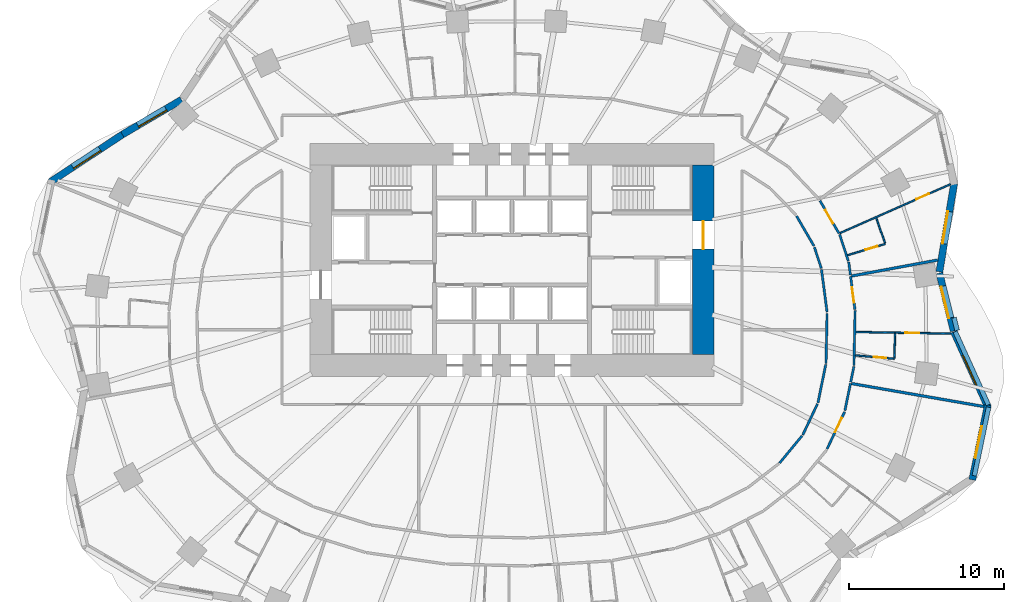
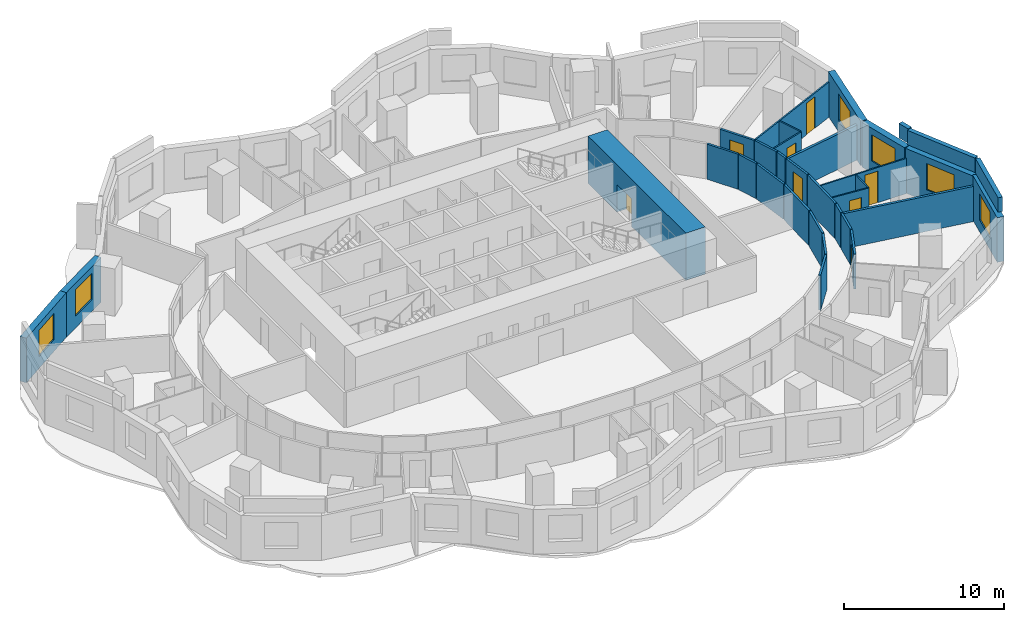
# One storey, part 7 of 11: 33 walls, 8 doors, 6 windows, 14 openings.
"""IFC4 building model written with IfcOpenShell, lengths in metres."""

from ifc_helpers import new_model, si_unit, direction, frame, frame_2d, origin, place, context, subcontext, project, spatial, rectangle, extrude, material, layer, layer_set, type_object, element, fill, save


model = new_model("IFC4")

# Units and contexts
model_context = context("Model", 3, precision=1e-05, world=origin(), true_north=direction((0.0, 1.0)))
body_context = subcontext(model_context, "Body", "Model", "MODEL_VIEW")
ifc_project = project(units=[si_unit("LENGTHUNIT", "METRE"), si_unit("AREAUNIT", "SQUARE_METRE"), si_unit("VOLUMEUNIT", "CUBIC_METRE"), si_unit("PLANEANGLEUNIT", "RADIAN"), si_unit("MASSUNIT", "GRAM", prefix="KILO")], contexts=[model_context])

# Site, building, storey
site_placement = place(None, origin())
site = spatial("IfcSite", under=ifc_project, at=site_placement, CompositionType="ELEMENT")
building_placement = place(site_placement, origin())
building = spatial("IfcBuilding", under=site, at=building_placement, Name="Rubra Terraces Tower", CompositionType="ELEMENT")
storey_placement = place(building_placement, frame((0.0, 0.0, 66.300048828125)))
storey = spatial("IfcBuildingStorey", under=building, at=storey_placement, Name="L14", CompositionType="ELEMENT", Elevation=66.300048828125)

# Walls
ifc_material_1 = material(Name="Twin plasterboard on staggered steel stud, acoustic mineral wool", Category="steel")
ifc_layer_1 = layer(ifc_material_1, 0.175048828125)
ifc_layer_set_1 = layer_set([ifc_layer_1], Name="Twin plasterboard on staggered steel stud, acoustic mineral wool")
wall_type_1 = type_object("IfcWallType", Name="ACOUSTIC PARTY WALL 175", PredefinedType="PARTITIONING", material=ifc_layer_set_1)
wall_1_placement = place(storey_placement, frame((30.36572265625, -4.93603515625, 0.0), z_axis=(0.0, 0.0, 1.0), x_axis=(-0.98521403611, 0.171328056817, 0.0)))
element("IfcWall", 1, at=wall_1_placement, inside=storey, type_object=wall_type_1, Name="PARTITION", PredefinedType="PARTITIONING", context=body_context, shape_type="SweptSolid", body=[
    extrude(rectangle(XDim=8.6396484375, YDim=0.175048828125, at=frame_2d((4.31982421875, 0.0))), origin(), (0.0, 0.0, 1.0), 2.679931640625),
])
wall_2_placement = place(storey_placement, frame((27.3955078125, 4.491455078125, 0.0), z_axis=(0.0, 0.0, 1.0), x_axis=(-0.983236531863, -0.182334644021, 0.0)))
element("IfcWall", 2, at=wall_2_placement, inside=storey, type_object=wall_type_1, Name="PARTITION", PredefinedType="PARTITIONING", context=body_context, shape_type="SweptSolid", body=[
    extrude(rectangle(XDim=5.629150390625, YDim=0.175048828125, at=frame_2d((2.814453125, 0.0))), origin(), (0.0, 0.0, 1.0), 2.679931640625),
])

# Wall, opening, window
ifc_material_2 = material(Name="Brick masonry red-brown", Category="masonry")
ifc_layer_2 = layer(ifc_material_2, 0.449951171875)
ifc_layer_set_2 = layer_set([ifc_layer_2], Name="Brick masonry red-brown")
wall_type_2 = type_object("IfcWallType", Name="Brick facade wall 450", PredefinedType="SOLIDWALL", material=ifc_layer_set_2)
wall_3_placement = place(storey_placement, frame((28.421875, -0.074951171875, 0.0), z_axis=(0.0, 0.0, 1.0), x_axis=(-0.239809222807, 0.970820033094, 0.0)))
wall_3 = element("IfcWall", 3, at=wall_3_placement, inside=storey, type_object=wall_type_2, Name="Facade wall L14 bay 1", PredefinedType="SOLIDWALL", context=body_context, shape_type="SweptSolid", body=[
    extrude(rectangle(XDim=3.8359375, YDim=0.449951171875, at=frame_2d((1.91796875, 0.0))), origin(), (0.0, 0.0, 1.0), 3.39990234375),
])
opening_1_placement = place(wall_3_placement, frame((0.867919921875, 0.0, 0.89990234375)))
opening_1 = element("IfcOpeningElement", 4, at=opening_1_placement, cuts=wall_3, Name="Opening W1", PredefinedType="OPENING", context=body_context, shape_type="SweptSolid", body=[
    extrude(rectangle(XDim=2.10009765625, YDim=2.0, at=frame_2d((1.050048828125, 1.0))), frame((0.0, 0.23486328125, 0.0), z_axis=(0.0, -1.0, 0.0), x_axis=(1.0, 0.0, 0.0)), (0.0, 0.0, 1.0), 0.469970703125),
])
ifc_material_3 = material(Name="Clear glass in aluminium frame", Category="aluminium")
window_type = type_object("IfcWindowType", Name="Fixed deep-set window 2100 x 2000", PartitioningType="SINGLE_PANEL", PredefinedType="WINDOW", material=ifc_material_3)
window_1_placement = place(opening_1_placement, origin())
window_1 = element("IfcWindow", 5, at=window_1_placement, inside=storey, type_object=window_type, Name="Window L14 bay 1", OverallHeight=2.0, OverallWidth=2.10009765625, PartitioningType="SINGLE_PANEL", PredefinedType="WINDOW", context=body_context, shape_type="SweptSolid", body=[
    extrude(rectangle(XDim=2.10009765625, YDim=2.0, at=frame_2d((1.050048828125, 1.0))), frame((0.0, 0.135009765625, 0.0), z_axis=(0.0, -1.0, 0.0), x_axis=(1.0, 0.0, 0.0)), (0.0, 0.0, 1.0), 0.06005859375),
])
fill(opening_1, window_1)

wall_4_placement = place(storey_placement, frame((27.50048828125, 3.732177734375, 0.0), z_axis=(0.0, 0.0, 1.0), x_axis=(0.165174419367, 0.986264371853, 0.0)))
wall_4 = element("IfcWall", 6, at=wall_4_placement, inside=storey, type_object=wall_type_2, Name="Facade wall L14 bay 2", PredefinedType="SOLIDWALL", context=body_context, shape_type="SweptSolid", body=[
    extrude(rectangle(XDim=5.76904296875, YDim=0.449951171875, at=frame_2d((2.884521484375, 0.0))), origin(), (0.0, 0.0, 1.0), 3.39990234375),
])
opening_2_placement = place(wall_4_placement, frame((1.83447265625, 0.0, 0.89990234375)))
opening_2 = element("IfcOpeningElement", 7, at=opening_2_placement, cuts=wall_4, Name="Opening W1", PredefinedType="OPENING", context=body_context, shape_type="SweptSolid", body=[
    extrude(rectangle(XDim=2.10009765625, YDim=2.0, at=frame_2d((1.050048828125, 1.0))), frame((0.0, 0.23486328125, 0.0), z_axis=(0.0, -1.0, 0.0), x_axis=(1.0, 0.0, 0.0)), (0.0, 0.0, 1.0), 0.469970703125),
])
window_2_placement = place(opening_2_placement, origin())
window_2 = element("IfcWindow", 8, at=window_2_placement, inside=storey, type_object=window_type, Name="Window L14 bay 2", OverallHeight=2.0, OverallWidth=2.10009765625, PartitioningType="SINGLE_PANEL", PredefinedType="WINDOW", context=body_context, shape_type="SweptSolid", body=[
    extrude(rectangle(XDim=2.10009765625, YDim=2.0, at=frame_2d((1.050048828125, 1.0))), frame((0.0, 0.135009765625, 0.0), z_axis=(0.0, -1.0, 0.0), x_axis=(1.0, 0.0, 0.0)), (0.0, 0.0, 1.0), 0.06005859375),
])
fill(opening_2, window_2)

wall_5_placement = place(storey_placement, frame((-21.265625, 14.805419921875, 0.0), z_axis=(0.0, 0.0, 1.0), x_axis=(-0.861975457737, -0.506950007653, 0.0)))
wall_5 = element("IfcWall", 9, at=wall_5_placement, inside=storey, type_object=wall_type_2, Name="Facade wall L14 bay 17", PredefinedType="SOLIDWALL", context=body_context, shape_type="SweptSolid", body=[
    extrude(rectangle(XDim=4.412841796875, YDim=0.449951171875, at=frame_2d((2.20654296875, 0.0))), origin(), (0.0, 0.0, 1.0), 3.39990234375),
])
opening_3_placement = place(wall_5_placement, frame((1.156494140625, 0.0, 0.89990234375)))
opening_3 = element("IfcOpeningElement", 10, at=opening_3_placement, cuts=wall_5, Name="Opening W1", PredefinedType="OPENING", context=body_context, shape_type="SweptSolid", body=[
    extrude(rectangle(XDim=2.10009765625, YDim=2.0, at=frame_2d((1.050048828125, 1.0))), frame((0.0, 0.23486328125, 0.0), z_axis=(0.0, -1.0, 0.0), x_axis=(1.0, 0.0, 0.0)), (0.0, 0.0, 1.0), 0.469970703125),
])
window_3_placement = place(opening_3_placement, origin())
window_3 = element("IfcWindow", 11, at=window_3_placement, inside=storey, type_object=window_type, Name="Window L14 bay 17", OverallHeight=2.0, OverallWidth=2.10009765625, PartitioningType="SINGLE_PANEL", PredefinedType="WINDOW", context=body_context, shape_type="SweptSolid", body=[
    extrude(rectangle(XDim=2.10009765625, YDim=2.0, at=frame_2d((1.050048828125, 1.0))), frame((0.0, 0.135009765625, 0.0), z_axis=(0.0, -1.0, 0.0), x_axis=(1.0, 0.0, 0.0)), (0.0, 0.0, 1.0), 0.06005859375),
])
fill(opening_3, window_3)

wall_6_placement = place(storey_placement, frame((-25.06103515625, 12.573974609375, 0.0), z_axis=(0.0, 0.0, 1.0), x_axis=(-0.83520622102, -0.549936876714, 0.0)))
wall_6 = element("IfcWall", 12, at=wall_6_placement, inside=storey, type_object=wall_type_2, Name="Facade wall L14 bay 18", PredefinedType="SOLIDWALL", context=body_context, shape_type="SweptSolid", body=[
    extrude(rectangle(XDim=5.56982421875, YDim=0.449951171875, at=frame_2d((2.784912109375, 0.0))), origin(), (0.0, 0.0, 1.0), 3.39990234375),
])
opening_4_placement = place(wall_6_placement, frame((1.73486328125, 0.0, 0.89990234375)))
opening_4 = element("IfcOpeningElement", 13, at=opening_4_placement, cuts=wall_6, Name="Opening W1", PredefinedType="OPENING", context=body_context, shape_type="SweptSolid", body=[
    extrude(rectangle(XDim=2.10009765625, YDim=2.0, at=frame_2d((1.050048828125, 1.0))), frame((0.0, 0.23486328125, 0.0), z_axis=(0.0, -1.0, 0.0), x_axis=(1.0, 0.0, 0.0)), (0.0, 0.0, 1.0), 0.469970703125),
])
window_4_placement = place(opening_4_placement, origin())
window_4 = element("IfcWindow", 14, at=window_4_placement, inside=storey, type_object=window_type, Name="Window L14 bay 18", OverallHeight=2.0, OverallWidth=2.10009765625, PartitioningType="SINGLE_PANEL", PredefinedType="WINDOW", context=body_context, shape_type="SweptSolid", body=[
    extrude(rectangle(XDim=2.10009765625, YDim=2.0, at=frame_2d((1.050048828125, 1.0))), frame((0.0, 0.135009765625, 0.0), z_axis=(0.0, -1.0, 0.0), x_axis=(1.0, 0.0, 0.0)), (0.0, 0.0, 1.0), 0.06005859375),
])
fill(opening_4, window_4)

wall_7_placement = place(storey_placement, frame((29.62060546875, -9.650146484375, 0.0), z_axis=(0.0, 0.0, 1.0), x_axis=(0.203505836306, 0.979073732969, 0.0)))
wall_7 = element("IfcWall", 15, at=wall_7_placement, inside=storey, type_object=wall_type_2, Name="Facade wall L14 bay 39", PredefinedType="SOLIDWALL", context=body_context, shape_type="SweptSolid", body=[
    extrude(rectangle(XDim=4.913818359375, YDim=0.449951171875, at=frame_2d((2.45703125, 0.0))), origin(), (0.0, 0.0, 1.0), 3.39990234375),
])
opening_5_placement = place(wall_7_placement, frame((1.406982421875, 0.0, 0.89990234375)))
opening_5 = element("IfcOpeningElement", 16, at=opening_5_placement, cuts=wall_7, Name="Opening W1", PredefinedType="OPENING", context=body_context, shape_type="SweptSolid", body=[
    extrude(rectangle(XDim=2.10009765625, YDim=2.0, at=frame_2d((1.050048828125, 1.0))), frame((0.0, 0.23486328125, 0.0), z_axis=(0.0, -1.0, 0.0), x_axis=(1.0, 0.0, 0.0)), (0.0, 0.0, 1.0), 0.469970703125),
])
window_5_placement = place(opening_5_placement, origin())
window_5 = element("IfcWindow", 17, at=window_5_placement, inside=storey, type_object=window_type, Name="Window L14 bay 39", OverallHeight=2.0, OverallWidth=2.10009765625, PartitioningType="SINGLE_PANEL", PredefinedType="WINDOW", context=body_context, shape_type="SweptSolid", body=[
    extrude(rectangle(XDim=2.10009765625, YDim=2.0, at=frame_2d((1.050048828125, 1.0))), frame((0.0, 0.135009765625, 0.0), z_axis=(0.0, -1.0, 0.0), x_axis=(1.0, 0.0, 0.0)), (0.0, 0.0, 1.0), 0.06005859375),
])
fill(opening_5, window_5)

wall_8_placement = place(storey_placement, frame((30.633544921875, -4.972412109375, 0.0), z_axis=(0.0, 0.0, 1.0), x_axis=(-0.412494644758, 0.910960025493, 0.0)))
wall_8 = element("IfcWall", 18, at=wall_8_placement, inside=storey, type_object=wall_type_2, Name="Facade wall L14 bay 40", PredefinedType="SOLIDWALL", context=body_context, shape_type="SweptSolid", body=[
    extrude(rectangle(XDim=5.330322265625, YDim=0.449951171875, at=frame_2d((2.6650390625, 0.0))), origin(), (0.0, 0.0, 1.0), 3.39990234375),
])
opening_6_placement = place(wall_8_placement, frame((1.615234375, 0.0, 0.89990234375)))
opening_6 = element("IfcOpeningElement", 19, at=opening_6_placement, cuts=wall_8, Name="Opening W1", PredefinedType="OPENING", context=body_context, shape_type="SweptSolid", body=[
    extrude(rectangle(XDim=2.10009765625, YDim=2.0, at=frame_2d((1.050048828125, 1.0))), frame((0.0, 0.23486328125, 0.0), z_axis=(0.0, -1.0, 0.0), x_axis=(1.0, 0.0, 0.0)), (0.0, 0.0, 1.0), 0.469970703125),
])
window_6_placement = place(opening_6_placement, origin())
window_6 = element("IfcWindow", 20, at=window_6_placement, inside=storey, type_object=window_type, Name="Window L14 bay 40", OverallHeight=2.0, OverallWidth=2.10009765625, PartitioningType="SINGLE_PANEL", PredefinedType="WINDOW", context=body_context, shape_type="SweptSolid", body=[
    extrude(rectangle(XDim=2.10009765625, YDim=2.0, at=frame_2d((1.050048828125, 1.0))), frame((0.0, 0.135009765625, 0.0), z_axis=(0.0, -1.0, 0.0), x_axis=(1.0, 0.0, 0.0)), (0.0, 0.0, 1.0), 0.06005859375),
])
fill(opening_6, window_6)

# Walls
ifc_layer_3 = layer(ifc_material_2, 0.300048828125)
ifc_layer_set_3 = layer_set([ifc_layer_3], Name="Brick masonry red-brown")
wall_type_3 = type_object("IfcWallType", Name="Brick parapet 300", PredefinedType="PARAPET", material=ifc_layer_set_3)
wall_9_placement = place(storey_placement, frame((28.64208984375, -0.029296875, 3.599853515625), z_axis=(0.0, 0.0, 1.0), x_axis=(-0.239775825721, 0.970828282138, 0.0)))
element("IfcWall", 21, at=wall_9_placement, inside=storey, type_object=wall_type_3, Name="Parapet L14 bay 1", PredefinedType="PARAPET", context=body_context, shape_type="SweptSolid", body=[
    extrude(rectangle(XDim=0.8330078125, YDim=0.300048828125, at=frame_2d((0.41650390625, 0.0))), origin(), (0.0, 0.0, 1.0), 1.10009765625),
])
wall_10_placement = place(storey_placement, frame((29.75146484375, -9.389892578125, 3.599853515625), z_axis=(0.0, 0.0, 1.0), x_axis=(0.203510555438, 0.97907275206, 0.0)))
element("IfcWall", 22, at=wall_10_placement, inside=storey, type_object=wall_type_3, Name="Parapet L14 bay 39", PredefinedType="PARAPET", context=body_context, shape_type="SweptSolid", body=[
    extrude(rectangle(XDim=4.504638671875, YDim=0.300048828125, at=frame_2d((2.25244140625, 0.0))), origin(), (0.0, 0.0, 1.0), 1.10009765625),
])
wall_11_placement = place(storey_placement, frame((30.651611328125, -4.830322265625, 3.599853515625), z_axis=(0.0, 0.0, 1.0), x_axis=(-0.412522333553, 0.910947487136, 0.0)))
element("IfcWall", 23, at=wall_11_placement, inside=storey, type_object=wall_type_3, Name="Parapet L14 bay 40", PredefinedType="PARAPET", context=body_context, shape_type="SweptSolid", body=[
    extrude(rectangle(XDim=5.172607421875, YDim=0.300048828125, at=frame_2d((2.58642578125, 0.0))), origin(), (0.0, 0.0, 1.0), 1.10009765625),
])

# Wall, opening, door
ifc_material_4 = material(Name="Concrete C70", Category="concrete")
ifc_layer_4 = layer(ifc_material_4, 1.39990234375)
ifc_layer_set_4 = layer_set([ifc_layer_4], Name="Concrete C70")
wall_type_4 = type_object("IfcWallType", Name="CORE WALL 1400 C70", PredefinedType="SHEAR", material=ifc_layer_set_4)
wall_12_placement = place(storey_placement, frame((12.300048828125, -1.60009765625, 0.0), z_axis=(0.0, 0.0, 1.0), x_axis=(0.0, 1.0, 0.0)))
wall_12 = element("IfcWall", 24, at=wall_12_placement, inside=storey, type_object=wall_type_4, Name="CORE WALL E L14", PredefinedType="SHEAR", context=body_context, shape_type="SweptSolid", body=[
    extrude(rectangle(XDim=12.2001953125, YDim=1.39990234375, at=frame_2d((6.10009765625, 0.0))), origin(), (0.0, 0.0, 1.0), 3.599853515625),
])
opening_7_placement = place(wall_12_placement, frame((6.800048828125, 0.0, 0.0)))
opening_7 = element("IfcOpeningElement", 25, at=opening_7_placement, cuts=wall_12, Name="Opening L14.C02", PredefinedType="OPENING", context=body_context, shape_type="SweptSolid", body=[
    extrude(rectangle(XDim=1.800048828125, YDim=2.10009765625, at=frame_2d((0.89990234375, 1.050048828125))), frame((0.0, 0.7099609375, 0.0), z_axis=(0.0, -1.0, 0.0), x_axis=(1.0, 0.0, 0.0)), (0.0, 0.0, 1.0), 1.419921875),
])
ifc_material_5 = material(Name="Painted steel", Category="steel")
door_type_1 = type_object("IfcDoorType", Name="Fire door 1800x2100 double", OperationType="NOTDEFINED", PredefinedType="DOOR", material=ifc_material_5)
door_1_placement = place(opening_7_placement, origin())
door_1 = element("IfcDoor", 26, at=door_1_placement, inside=storey, type_object=door_type_1, Name="Core entrance door FF2", OperationType="DOUBLE_DOOR_SINGLE_SWING", OverallHeight=2.10009765625, OverallWidth=1.800048828125, PredefinedType="DOOR", context=body_context, shape_type="SweptSolid", body=[
    extrude(rectangle(XDim=1.800048828125, YDim=2.10009765625, at=frame_2d((0.89990234375, 1.050048828125))), frame((0.0, 0.02490234375, 0.0), z_axis=(0.0, -1.0, 0.0), x_axis=(1.0, 0.0, 0.0)), (0.0, 0.0, 1.0), 0.050048828125),
])
fill(opening_7, door_1)

ifc_material_6 = material(Name="Plasterboard on steel stud, mineral wool infill", Category="steel")
ifc_layer_5 = layer(ifc_material_6, 0.14990234375)
ifc_layer_set_5 = layer_set([ifc_layer_5], Name="Plasterboard on steel stud, mineral wool infill")
wall_type_5 = type_object("IfcWallType", Name="CORRIDOR PARTITION 150", PredefinedType="PARTITIONING", material=ifc_layer_set_5)
wall_13_placement = place(storey_placement, frame((20.2705078125, -7.669677734375, 0.0), z_axis=(0.0, 0.0, 1.0), x_axis=(0.427995478521, 0.903780875193, 0.0)))
wall_13 = element("IfcWall", 27, at=wall_13_placement, inside=storey, type_object=wall_type_5, Name="PARTITION", PredefinedType="PARTITIONING", context=body_context, shape_type="SweptSolid", body=[
    extrude(rectangle(XDim=2.656494140625, YDim=0.14990234375, at=frame_2d((1.328125, 0.0))), origin(), (0.0, 0.0, 1.0), 2.679931640625),
])
opening_8_placement = place(wall_13_placement, frame((1.199951171875, 0.0, 0.0)))
opening_8 = element("IfcOpeningElement", 28, at=opening_8_placement, cuts=wall_13, Name="Opening 14-127", PredefinedType="OPENING", context=body_context, shape_type="SweptSolid", body=[
    extrude(rectangle(XDim=1.0, YDim=2.10009765625, at=frame_2d((0.5, 1.050048828125))), frame((0.0, 0.0849609375, 0.0), z_axis=(0.0, -1.0, 0.0), x_axis=(1.0, 0.0, 0.0)), (0.0, 0.0, 1.0), 0.169921875),
])
ifc_material_7 = material(Name="Painted timber door leaf", Category="wood")
door_type_2 = type_object("IfcDoorType", Name="ROOM DOOR 1000 X 2100", OperationType="SINGLE_SWING_LEFT", PredefinedType="DOOR", material=ifc_material_7)
door_2_placement = place(opening_8_placement, origin())
door_2 = element("IfcDoor", 29, at=door_2_placement, inside=storey, type_object=door_type_2, Name="DOOR 14-127", OperationType="SINGLE_SWING_RIGHT", OverallHeight=2.10009765625, OverallWidth=1.0, PredefinedType="DOOR", context=body_context, shape_type="SweptSolid", body=[
    extrude(rectangle(XDim=1.0, YDim=2.10009765625, at=frame_2d((0.5, 1.050048828125))), frame((0.0, 0.02490234375, 0.0), z_axis=(0.0, -1.0, 0.0), x_axis=(1.0, 0.0, 0.0)), (0.0, 0.0, 1.0), 0.050048828125),
])
fill(opening_8, door_2)

# Walls
wall_14_placement = place(storey_placement, frame((21.422607421875, -5.1953125, 0.0), z_axis=(0.0, 0.0, 1.0), x_axis=(0.199711278169, 0.979854787901, 0.0)))
element("IfcWall", 30, at=wall_14_placement, inside=storey, type_object=wall_type_5, Name="PARTITION", PredefinedType="PARTITIONING", context=body_context, shape_type="SweptSolid", body=[
    extrude(rectangle(XDim=1.78857421875, YDim=0.14990234375, at=frame_2d((0.894287109375, 0.0))), origin(), (0.0, 0.0, 1.0), 2.679931640625),
])
wall_15_placement = place(storey_placement, frame((21.794921875, -3.369384765625, 0.0), z_axis=(0.0, 0.0, 1.0), x_axis=(0.199793439504, 0.979838038418, 0.0)))
element("IfcWall", 31, at=wall_15_placement, inside=storey, type_object=wall_type_5, Name="PARTITION", PredefinedType="PARTITIONING", context=body_context, shape_type="SweptSolid", body=[
    extrude(rectangle(XDim=1.03369140625, YDim=0.14990234375, at=frame_2d((0.516845703125, 0.0))), origin(), (0.0, 0.0, 1.0), 2.679931640625),
])
wall_16_placement = place(storey_placement, frame((22.003173828125, -2.281494140625, 0.0), z_axis=(0.0, 0.0, 1.0), x_axis=(0.021172866829, 0.999775829729, 0.0)))
element("IfcWall", 32, at=wall_16_placement, inside=storey, type_object=wall_type_5, Name="PARTITION", PredefinedType="PARTITIONING", context=body_context, shape_type="SweptSolid", body=[
    extrude(rectangle(XDim=3.516845703125, YDim=0.14990234375, at=frame_2d((1.75830078125, 0.0))), origin(), (0.0, 0.0, 1.0), 2.679931640625),
])

# Wall, opening, door
wall_17_placement = place(storey_placement, frame((22.06787109375, 1.30908203125, 0.0), z_axis=(0.0, 0.0, 1.0), x_axis=(-0.129942984365, 0.991521467652, 0.0)))
wall_17 = element("IfcWall", 33, at=wall_17_placement, inside=storey, type_object=wall_type_5, Name="PARTITION", PredefinedType="PARTITIONING", context=body_context, shape_type="SweptSolid", body=[
    extrude(rectangle(XDim=2.16064453125, YDim=0.14990234375, at=frame_2d((1.080322265625, 0.0))), origin(), (0.0, 0.0, 1.0), 2.679931640625),
])
opening_9_placement = place(wall_17_placement, frame((0.449951171875, 0.0, 0.0)))
opening_9 = element("IfcOpeningElement", 34, at=opening_9_placement, cuts=wall_17, Name="Opening 14-130", PredefinedType="OPENING", context=body_context, shape_type="SweptSolid", body=[
    extrude(rectangle(XDim=1.0, YDim=2.10009765625, at=frame_2d((0.5, 1.050048828125))), frame((0.0, 0.0849609375, 0.0), z_axis=(0.0, -1.0, 0.0), x_axis=(1.0, 0.0, 0.0)), (0.0, 0.0, 1.0), 0.169921875),
])
door_3_placement = place(opening_9_placement, origin())
door_3 = element("IfcDoor", 35, at=door_3_placement, inside=storey, type_object=door_type_2, Name="DOOR 14-130", OperationType="SINGLE_SWING_RIGHT", OverallHeight=2.10009765625, OverallWidth=1.0, PredefinedType="DOOR", context=body_context, shape_type="SweptSolid", body=[
    extrude(rectangle(XDim=1.0, YDim=2.10009765625, at=frame_2d((0.5, 1.050048828125))), frame((0.0, 0.02490234375, 0.0), z_axis=(0.0, -1.0, 0.0), x_axis=(1.0, 0.0, 0.0)), (0.0, 0.0, 1.0), 0.050048828125),
])
fill(opening_9, door_3)

# Walls
wall_18_placement = place(storey_placement, frame((21.77734375, 3.52587890625, 0.0), z_axis=(0.0, 0.0, 1.0), x_axis=(-0.129860799582, 0.991532234843, 0.0)))
element("IfcWall", 36, at=wall_18_placement, inside=storey, type_object=wall_type_5, Name="PARTITION", PredefinedType="PARTITIONING", context=body_context, shape_type="SweptSolid", body=[
    extrude(rectangle(XDim=0.84033203125, YDim=0.14990234375, at=frame_2d((0.420166015625, 0.0))), origin(), (0.0, 0.0, 1.0), 2.679931640625),
])
wall_19_placement = place(storey_placement, frame((21.644775390625, 4.430419921875, 0.0), z_axis=(0.0, 0.0, 1.0), x_axis=(-0.313700743044, 0.949521902756, 0.0)))
element("IfcWall", 37, at=wall_19_placement, inside=storey, type_object=wall_type_5, Name="PARTITION", PredefinedType="PARTITIONING", context=body_context, shape_type="SweptSolid", body=[
    extrude(rectangle(XDim=1.7978515625, YDim=0.14990234375, at=frame_2d((0.89892578125, 0.0))), origin(), (0.0, 0.0, 1.0), 2.679931640625),
])

# Wall, opening, door
wall_20_placement = place(storey_placement, frame((21.043212890625, 6.2021484375, 0.0), z_axis=(0.0, 0.0, 1.0), x_axis=(-0.502422412937, 0.864622298451, 0.0)))
wall_20 = element("IfcWall", 38, at=wall_20_placement, inside=storey, type_object=wall_type_5, Name="PARTITION", PredefinedType="PARTITIONING", context=body_context, shape_type="SweptSolid", body=[
    extrude(rectangle(XDim=2.44287109375, YDim=0.14990234375, at=frame_2d((1.221435546875, 0.0))), origin(), (0.0, 0.0, 1.0), 2.679931640625),
])
opening_10_placement = place(wall_20_placement, frame((0.756103515625, 0.0, 0.0)))
opening_10 = element("IfcOpeningElement", 39, at=opening_10_placement, cuts=wall_20, Name="Opening 14-133", PredefinedType="OPENING", context=body_context, shape_type="SweptSolid", body=[
    extrude(rectangle(XDim=1.0, YDim=2.10009765625, at=frame_2d((0.5, 1.050048828125))), frame((0.0, 0.0849609375, 0.0), z_axis=(0.0, -1.0, 0.0), x_axis=(1.0, 0.0, 0.0)), (0.0, 0.0, 1.0), 0.169921875),
])
door_4_placement = place(opening_10_placement, origin())
door_4 = element("IfcDoor", 40, at=door_4_placement, inside=storey, type_object=door_type_2, Name="DOOR 14-133", OperationType="SINGLE_SWING_RIGHT", OverallHeight=2.10009765625, OverallWidth=1.0, PredefinedType="DOOR", context=body_context, shape_type="SweptSolid", body=[
    extrude(rectangle(XDim=1.0, YDim=2.10009765625, at=frame_2d((0.5, 1.050048828125))), frame((0.0, 0.02490234375, 0.0), z_axis=(0.0, -1.0, 0.0), x_axis=(1.0, 0.0, 0.0)), (0.0, 0.0, 1.0), 0.050048828125),
])
fill(opening_10, door_4)

# Walls
wall_21_placement = place(storey_placement, frame((18.306396484375, 7.329345703125, 0.0), z_axis=(0.0, 0.0, 1.0), x_axis=(0.502425081691, -0.864620747662, 0.0)))
element("IfcWall", 41, at=wall_21_placement, inside=storey, type_object=wall_type_5, Name="PARTITION", PredefinedType="PARTITIONING", context=body_context, shape_type="SweptSolid", body=[
    extrude(rectangle(XDim=2.2373046875, YDim=0.14990234375, at=frame_2d((1.11865234375, 0.0))), origin(), (0.0, 0.0, 1.0), 2.679931640625),
])
wall_22_placement = place(storey_placement, frame((19.453857421875, 5.32373046875, 0.0), z_axis=(0.0, 0.0, 1.0), x_axis=(0.313632756375, -0.949544361327, 0.0)))
element("IfcWall", 42, at=wall_22_placement, inside=storey, type_object=wall_type_5, Name="PARTITION", PredefinedType="PARTITIONING", context=body_context, shape_type="SweptSolid", body=[
    extrude(rectangle(XDim=1.440185546875, YDim=0.14990234375, at=frame_2d((0.72021484375, 0.0))), origin(), (0.0, 0.0, 1.0), 2.679931640625),
])
wall_23_placement = place(storey_placement, frame((19.915283203125, 3.882080078125, 0.0), z_axis=(0.0, 0.0, 1.0), x_axis=(0.129945947446, -0.991521079323, 0.0)))
element("IfcWall", 43, at=wall_23_placement, inside=storey, type_object=wall_type_5, Name="PARTITION", PredefinedType="PARTITIONING", context=body_context, shape_type="SweptSolid", body=[
    extrude(rectangle(XDim=2.769287109375, YDim=0.14990234375, at=frame_2d((1.384765625, 0.0))), origin(), (0.0, 0.0, 1.0), 2.679931640625),
])
wall_24_placement = place(storey_placement, frame((20.2734375, 1.061279296875, 0.0), z_axis=(0.0, 0.0, 1.0), x_axis=(-0.021166906337, -0.99977595594, 0.0)))
element("IfcWall", 44, at=wall_24_placement, inside=storey, type_object=wall_type_5, Name="PARTITION", PredefinedType="PARTITIONING", context=body_context, shape_type="SweptSolid", body=[
    extrude(rectangle(XDim=3.218017578125, YDim=0.14990234375, at=frame_2d((1.60888671875, 0.0))), origin(), (0.0, 0.0, 1.0), 2.679931640625),
])
wall_25_placement = place(storey_placement, frame((20.190185546875, -2.2294921875, 0.0), z_axis=(0.0, 0.0, 1.0), x_axis=(-0.199752828647, -0.97984631828, 0.0)))
element("IfcWall", 45, at=wall_25_placement, inside=storey, type_object=wall_type_5, Name="PARTITION", PredefinedType="PARTITIONING", context=body_context, shape_type="SweptSolid", body=[
    extrude(rectangle(XDim=2.5166015625, YDim=0.14990234375, at=frame_2d((1.25830078125, 0.0))), origin(), (0.0, 0.0, 1.0), 2.679931640625),
])
wall_26_placement = place(storey_placement, frame((19.6552734375, -4.76318359375, 0.0), z_axis=(0.0, 0.0, 1.0), x_axis=(-0.427972604023, -0.903791707312, 0.0)))
element("IfcWall", 46, at=wall_26_placement, inside=storey, type_object=wall_type_5, Name="PARTITION", PredefinedType="PARTITIONING", context=body_context, shape_type="SweptSolid", body=[
    extrude(rectangle(XDim=2.214599609375, YDim=0.14990234375, at=frame_2d((1.107421875, 0.0))), origin(), (0.0, 0.0, 1.0), 2.679931640625),
])
wall_27_placement = place(storey_placement, frame((18.659912109375, -6.822509765625, 0.0), z_axis=(0.0, 0.0, 1.0), x_axis=(-0.636575205534, -0.771214631409, 0.0)))
element("IfcWall", 47, at=wall_27_placement, inside=storey, type_object=wall_type_5, Name="PARTITION", PredefinedType="PARTITIONING", context=body_context, shape_type="SweptSolid", body=[
    extrude(rectangle(XDim=2.2666015625, YDim=0.14990234375, at=frame_2d((1.13330078125, 0.0))), origin(), (0.0, 0.0, 1.0), 2.679931640625),
])

# Wall, opening, door
ifc_material_8 = material(Name="Plasterboard on steel stud", Category="steel")
ifc_layer_6 = layer(ifc_material_8, 0.10009765625)
ifc_layer_set_6 = layer_set([ifc_layer_6], Name="Plasterboard on steel stud")
wall_type_6 = type_object("IfcWallType", Name="ROOM PARTITION 100", PredefinedType="PARTITIONING", material=ifc_layer_set_6)
wall_28_placement = place(storey_placement, frame((28.245361328125, -0.243408203125, 0.0), z_axis=(0.0, 0.0, 1.0), x_axis=(-0.999851625609, 0.017225758814, 0.0)))
wall_28 = element("IfcWall", 48, at=wall_28_placement, inside=storey, type_object=wall_type_6, Name="PARTITION", PredefinedType="PARTITIONING", context=body_context, shape_type="SweptSolid", body=[
    extrude(rectangle(XDim=6.122802734375, YDim=0.10009765625, at=frame_2d((3.0615234375, 0.0))), origin(), (0.0, 0.0, 1.0), 2.679931640625),
])
opening_11_placement = place(wall_28_placement, frame((2.048095703125, 0.0, 0.0)))
opening_11 = element("IfcOpeningElement", 49, at=opening_11_placement, cuts=wall_28, Name="Opening 14-129", PredefinedType="OPENING", context=body_context, shape_type="SweptSolid", body=[
    extrude(rectangle(XDim=0.89990234375, YDim=2.39990234375, at=frame_2d((0.449951171875, 1.199951171875))), frame((0.0, 0.06005859375, 0.0), z_axis=(0.0, -1.0, 0.0), x_axis=(1.0, 0.0, 0.0)), (0.0, 0.0, 1.0), 0.1201171875),
])
ifc_material_9 = material(Name="Veneered timber door leaf, fire-rated", Category="wood")
door_type_3 = type_object("IfcDoorType", Name="SUITE ENTRANCE DOOR 900 X 2400", OperationType="SINGLE_SWING_LEFT", PredefinedType="DOOR", material=ifc_material_9)
door_5_placement = place(opening_11_placement, origin())
door_5 = element("IfcDoor", 50, at=door_5_placement, inside=storey, type_object=door_type_3, Name="DOOR 14-129", OperationType="SINGLE_SWING_LEFT", OverallHeight=2.39990234375, OverallWidth=0.89990234375, PredefinedType="DOOR", context=body_context, shape_type="SweptSolid", body=[
    extrude(rectangle(XDim=0.89990234375, YDim=2.39990234375, at=frame_2d((0.449951171875, 1.199951171875))), frame((0.0, 0.02490234375, 0.0), z_axis=(0.0, -1.0, 0.0), x_axis=(1.0, 0.0, 0.0)), (0.0, 0.0, 1.0), 0.050048828125),
])
fill(opening_11, door_5)

wall_29_placement = place(storey_placement, frame((22.09130859375, -1.642822265625, 0.0), z_axis=(0.0, 0.0, 1.0), x_axis=(0.996215514387, -0.086917483253, 0.0)))
wall_29 = element("IfcWall", 51, at=wall_29_placement, inside=storey, type_object=wall_type_6, Name="PARTITION", PredefinedType="PARTITIONING", context=body_context, shape_type="SweptSolid", body=[
    extrude(rectangle(XDim=2.525146484375, YDim=0.10009765625, at=frame_2d((1.2626953125, 0.0))), origin(), (0.0, 0.0, 1.0), 2.679931640625),
])
opening_12_placement = place(wall_29_placement, frame((1.199951171875, 0.0, 0.0)))
opening_12 = element("IfcOpeningElement", 52, at=opening_12_placement, cuts=wall_29, Name="Opening 14-128", PredefinedType="OPENING", context=body_context, shape_type="SweptSolid", body=[
    extrude(rectangle(XDim=0.800048828125, YDim=2.10009765625, at=frame_2d((0.39990234375, 1.050048828125))), frame((0.0, 0.06005859375, 0.0), z_axis=(0.0, -1.0, 0.0), x_axis=(1.0, 0.0, 0.0)), (0.0, 0.0, 1.0), 0.1201171875),
])
door_type_4 = type_object("IfcDoorType", Name="BATHROOM DOOR 800 X 2100", OperationType="SINGLE_SWING_LEFT", PredefinedType="DOOR", material=ifc_material_7)
door_6_placement = place(opening_12_placement, origin())
door_6 = element("IfcDoor", 53, at=door_6_placement, inside=storey, type_object=door_type_4, Name="DOOR 14-128", OperationType="SINGLE_SWING_LEFT", OverallHeight=2.10009765625, OverallWidth=0.800048828125, PredefinedType="DOOR", context=body_context, shape_type="SweptSolid", body=[
    extrude(rectangle(XDim=0.800048828125, YDim=2.10009765625, at=frame_2d((0.39990234375, 1.050048828125))), frame((0.0, 0.02490234375, 0.0), z_axis=(0.0, -1.0, 0.0), x_axis=(1.0, 0.0, 0.0)), (0.0, 0.0, 1.0), 0.050048828125),
])
fill(opening_12, door_6)

# Wall
wall_30_placement = place(storey_placement, frame((24.608154296875, -1.812255859375, 0.0), z_axis=(0.0, 0.0, 1.0), x_axis=(0.024548584318, 0.999698638094, 0.0)))
element("IfcWall", 54, at=wall_30_placement, inside=storey, type_object=wall_type_6, Name="PARTITION", PredefinedType="PARTITIONING", context=body_context, shape_type="SweptSolid", body=[
    extrude(rectangle(XDim=1.581298828125, YDim=0.10009765625, at=frame_2d((0.79052734375, 0.0))), origin(), (0.0, 0.0, 1.0), 2.679931640625),
])

# Wall, opening, door
wall_31_placement = place(storey_placement, frame((28.212646484375, 9.371337890625, 0.0), z_axis=(0.0, 0.0, 1.0), x_axis=(-0.914345064768, -0.404935923986, 0.0)))
wall_31 = element("IfcWall", 55, at=wall_31_placement, inside=storey, type_object=wall_type_6, Name="PARTITION", PredefinedType="PARTITIONING", context=body_context, shape_type="SweptSolid", body=[
    extrude(rectangle(XDim=7.76318359375, YDim=0.10009765625, at=frame_2d((3.881591796875, 0.0))), origin(), (0.0, 0.0, 1.0), 2.679931640625),
])
opening_13_placement = place(wall_31_placement, frame((1.5, 0.0, 0.0)))
opening_13 = element("IfcOpeningElement", 56, at=opening_13_placement, cuts=wall_31, Name="Opening 14-132", PredefinedType="OPENING", context=body_context, shape_type="SweptSolid", body=[
    extrude(rectangle(XDim=0.89990234375, YDim=2.39990234375, at=frame_2d((0.449951171875, 1.199951171875))), frame((0.0, 0.06005859375, 0.0), z_axis=(0.0, -1.0, 0.0), x_axis=(1.0, 0.0, 0.0)), (0.0, 0.0, 1.0), 0.1201171875),
])
door_7_placement = place(opening_13_placement, origin())
door_7 = element("IfcDoor", 57, at=door_7_placement, inside=storey, type_object=door_type_3, Name="DOOR 14-132", OperationType="SINGLE_SWING_LEFT", OverallHeight=2.39990234375, OverallWidth=0.89990234375, PredefinedType="DOOR", context=body_context, shape_type="SweptSolid", body=[
    extrude(rectangle(XDim=0.89990234375, YDim=2.39990234375, at=frame_2d((0.449951171875, 1.199951171875))), frame((0.0, 0.02490234375, 0.0), z_axis=(0.0, -1.0, 0.0), x_axis=(1.0, 0.0, 0.0)), (0.0, 0.0, 1.0), 0.050048828125),
])
fill(opening_13, door_7)

wall_32_placement = place(storey_placement, frame((21.601318359375, 4.80078125, 0.0), z_axis=(0.0, 0.0, 1.0), x_axis=(0.957008139342, 0.290061064662, 0.0)))
wall_32 = element("IfcWall", 58, at=wall_32_placement, inside=storey, type_object=wall_type_6, Name="PARTITION", PredefinedType="PARTITIONING", context=body_context, shape_type="SweptSolid", body=[
    extrude(rectangle(XDim=2.525146484375, YDim=0.10009765625, at=frame_2d((1.2626953125, 0.0))), origin(), (0.0, 0.0, 1.0), 2.679931640625),
])
opening_14_placement = place(wall_32_placement, frame((1.199951171875, 0.0, 0.0)))
opening_14 = element("IfcOpeningElement", 59, at=opening_14_placement, cuts=wall_32, Name="Opening 14-131", PredefinedType="OPENING", context=body_context, shape_type="SweptSolid", body=[
    extrude(rectangle(XDim=0.800048828125, YDim=2.10009765625, at=frame_2d((0.39990234375, 1.050048828125))), frame((0.0, 0.06005859375, 0.0), z_axis=(0.0, -1.0, 0.0), x_axis=(1.0, 0.0, 0.0)), (0.0, 0.0, 1.0), 0.1201171875),
])
door_8_placement = place(opening_14_placement, origin())
door_8 = element("IfcDoor", 60, at=door_8_placement, inside=storey, type_object=door_type_4, Name="DOOR 14-131", OperationType="SINGLE_SWING_LEFT", OverallHeight=2.10009765625, OverallWidth=0.800048828125, PredefinedType="DOOR", context=body_context, shape_type="SweptSolid", body=[
    extrude(rectangle(XDim=0.800048828125, YDim=2.10009765625, at=frame_2d((0.39990234375, 1.050048828125))), frame((0.0, 0.02490234375, 0.0), z_axis=(0.0, -1.0, 0.0), x_axis=(1.0, 0.0, 0.0)), (0.0, 0.0, 1.0), 0.050048828125),
])
fill(opening_14, door_8)

# Wall
wall_33_placement = place(storey_placement, frame((24.00146484375, 5.580322265625, 0.0), z_axis=(0.0, 0.0, 1.0), x_axis=(-0.327169165527, 0.944965786221, 0.0)))
element("IfcWall", 61, at=wall_33_placement, inside=storey, type_object=wall_type_6, Name="PARTITION", PredefinedType="PARTITIONING", context=body_context, shape_type="SweptSolid", body=[
    extrude(rectangle(XDim=1.717041015625, YDim=0.10009765625, at=frame_2d((0.8583984375, 0.0))), origin(), (0.0, 0.0, 1.0), 2.679931640625),
])

save(model, "model.ifc")
